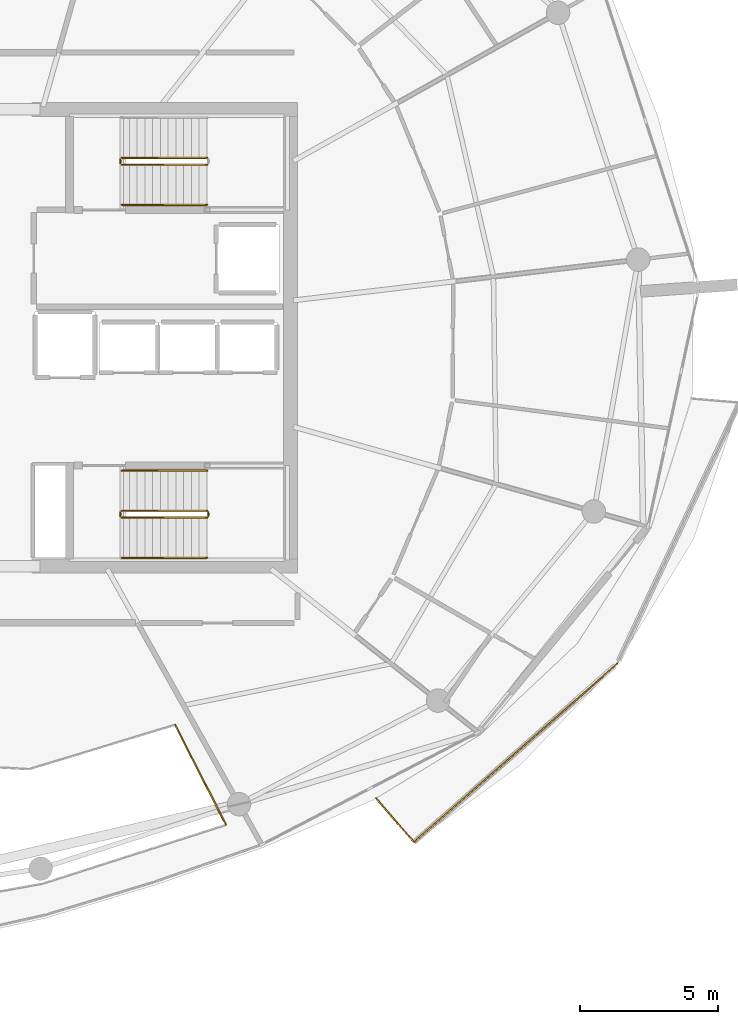
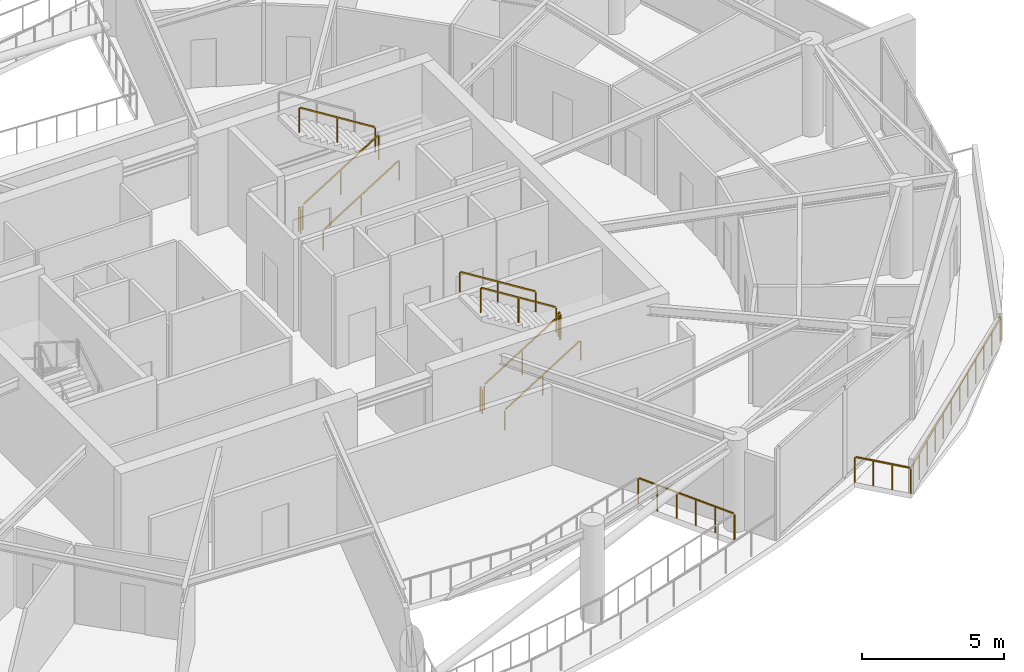
# One storey, part 20 of 22: 13 railings.
"""IFC4 building model written with IfcOpenShell, lengths in metres."""

import ifcopenshell
import ifcopenshell.guid

model = None  # the IFC model being written
_history = None  # IfcOwnerHistory: only IFC2X3 demands one
_inside = {}  # id of a spatial element -> (the spatial element, [elements in it])
_under = {}  # id of a project, library or spatial element -> (it, [spatial elements below it])
_declared = {}  # id of a project -> (the project, [libraries it declares])
_typed = {}  # id of a type object -> (the type object, [elements of that type])
_made_of = {}  # id of a material, layer set ... -> (it, [elements and type objects made of it])


def new_model(schema):
    """Start an empty IFC model of exactly this schema.

    Asked for "IFC4X3", IfcOpenShell would pick the latest addendum, in which some entities
    have other attributes; the version numbers below select the first issue.
    IFC2X3 requires an IfcOwnerHistory on every rooted entity: one is made here for all.
    """
    global model, _history
    if schema == "IFC4X3":
        model = ifcopenshell.file(schema_version=(4, 3, 0, 0))
    else:
        model = ifcopenshell.file(schema=schema)
    _inside.clear()
    _under.clear()
    _declared.clear()
    _typed.clear()
    _made_of.clear()
    _history = None
    if model.schema == "IFC2X3":
        org = make("IfcOrganization", Name="unknown")
        user = make(
            "IfcPersonAndOrganization",
            ThePerson=make("IfcPerson", FamilyName="unknown"),
            TheOrganization=org,
        )
        app = make(
            "IfcApplication",
            ApplicationDeveloper=org,
            Version="unknown",
            ApplicationFullName="unknown",
            ApplicationIdentifier="unknown",
        )
        _history = make(
            "IfcOwnerHistory",
            OwningUser=user,
            OwningApplication=app,
            ChangeAction="ADDED",
            CreationDate=0,
        )
    return model


def make(cls, **values):
    """One entity of the class cls with the attributes given. An attribute that is None is left unset."""
    return model.create_entity(
        cls, **{name: value for name, value in values.items() if value is not None}
    )


def rooted(cls, **values):
    """An entity with a GlobalId (a new one), such as an element, a storey or a relation."""
    return make(cls, GlobalId=ifcopenshell.guid.new(), OwnerHistory=_history, **values)


def si_unit(unit_type, name, prefix=None):
    """IfcSIUnit, for example si_unit("LENGTHUNIT", "METRE", prefix="MILLI")."""
    return make("IfcSIUnit", UnitType=unit_type, Prefix=prefix, Name=name)


def assignment(units):
    """IfcUnitAssignment: the units of a project."""
    return None if units is None else make("IfcUnitAssignment", Units=units)


def point(xyz):
    """IfcCartesianPoint."""
    return None if xyz is None else make("IfcCartesianPoint", Coordinates=xyz)


def direction(xyz):
    """IfcDirection."""
    return None if xyz is None else make("IfcDirection", DirectionRatios=xyz)


def frame(location, z_axis=None, x_axis=None):
    """IfcAxis2Placement3D, a coordinate frame: its origin and axes. An axis left out is left unset."""
    return make(
        "IfcAxis2Placement3D",
        Location=point(location),
        Axis=direction(z_axis),
        RefDirection=direction(x_axis),
    )


def frame_2d(location, x_axis=None):
    """IfcAxis2Placement2D, a coordinate frame in the plane: its origin and x axis."""
    return make(
        "IfcAxis2Placement2D", Location=point(location), RefDirection=direction(x_axis)
    )


def origin():
    """The frame at (0, 0, 0) with its axes left unset."""
    return frame((0.0, 0.0, 0.0))


def origin_2d():
    """The frame at (0, 0) in the plane with its x axis left unset."""
    return frame_2d((0.0, 0.0))


def place(relative_to, where):
    """IfcLocalPlacement: puts the frame where relative to a parent placement (None: the world)."""
    return make(
        "IfcLocalPlacement", PlacementRelTo=relative_to, RelativePlacement=where
    )


def context(
    kind, dimensions, precision=None, world=None, true_north=None, identifier=None
):
    """IfcGeometricRepresentationContext, for example the 3D "Model" context."""
    return make(
        "IfcGeometricRepresentationContext",
        ContextIdentifier=identifier,
        ContextType=kind,
        CoordinateSpaceDimension=dimensions,
        Precision=precision,
        WorldCoordinateSystem=world,
        TrueNorth=true_north,
    )


def subcontext(parent, identifier, kind, view, scale=None):
    """IfcGeometricRepresentationSubContext, for example "Body" below "Model"."""
    return make(
        "IfcGeometricRepresentationSubContext",
        ContextIdentifier=identifier,
        ContextType=kind,
        ParentContext=parent,
        TargetScale=scale,
        TargetView=view,
    )


def project(units=None, contexts=None):
    """IfcProject with its units and contexts."""
    return rooted(
        "IfcProject",
        Name="project",
        RepresentationContexts=contexts,
        UnitsInContext=assignment(units),
    )


def spatial(cls, under=None, at=None, **own):
    """A site, building, storey or space (cls), placed at a placement, below another one or the project."""
    s = rooted(cls, ObjectPlacement=at, **own)
    if under is not None:
        _under.setdefault(under.id(), (under, []))[1].append(s)
    return s


def profile(cls, at=None, kind="AREA", **sizes):
    """A parametric profile (cls). Its sizes go by their IFC names, for example OverallWidth=200.0."""
    return make(cls, ProfileType=kind, Position=at, **sizes)


def rectangle(**sizes):
    """IfcRectangleProfileDef."""
    return profile("IfcRectangleProfileDef", **sizes)


def extrude(swept, where, along, depth):
    """IfcExtrudedAreaSolid: the profile swept, set in the frame where, extruded along a direction by depth."""
    return make(
        "IfcExtrudedAreaSolid",
        SweptArea=swept,
        Position=where,
        ExtrudedDirection=direction(along),
        Depth=depth,
    )


def shape(context_of_items, identifier, shape_type, items):
    """IfcShapeRepresentation: the items that make up one representation, for example the "Body"."""
    return make(
        "IfcShapeRepresentation",
        ContextOfItems=context_of_items,
        RepresentationIdentifier=identifier,
        RepresentationType=shape_type,
        Items=items,
    )


def material(Name=None, Category=None):
    """IfcMaterial."""
    return make("IfcMaterial", Name=Name, Category=Category)


def made_of(thing, what):
    """Note that an element or type object is made of a material, layer set ...; save() writes the relation."""
    if what is not None:
        _made_of.setdefault(what.id(), (what, []))[1].append(thing)
    return thing


def type_object(cls, material=None, **own):
    """A type object (cls), such as IfcWallType, which elements share."""
    return made_of(rooted(cls, **own), material)


def element(
    cls,
    number,
    at=None,
    inside=None,
    cuts=None,
    type_object=None,
    material=None,
    context=None,
    identifier="Body",
    shape_type=None,
    held_by="IfcProductDefinitionShape",
    body=None,
    shapes=None,
    **own,
):
    """One element of the class cls, such as IfcWall. Its Tag is "e" and its number.

    at: its placement. inside: the storey or other place that contains it. cuts: it is an
    opening in that element (IfcRelVoidsElement). A single representation is given by context,
    identifier, shape_type and body (its items); several are given by shapes. held_by: the class
    of the entity that holds the representations. save() writes the other relations.
    """
    e = rooted(cls, Tag="e%d" % number, ObjectPlacement=at, **own)
    if body is not None:
        shapes = [shape(context, identifier, shape_type, body)]
    if shapes is not None:
        e.Representation = make(held_by, Representations=shapes)
    if inside is not None:
        _inside.setdefault(inside.id(), (inside, []))[1].append(e)
    if cuts is not None:
        rooted(
            "IfcRelVoidsElement", RelatingBuildingElement=cuts, RelatedOpeningElement=e
        )
    if type_object is not None:
        _typed.setdefault(type_object.id(), (type_object, []))[1].append(e)
    return made_of(e, material)


def aggregate(whole, parts):
    """IfcRelAggregates: a whole, such as a stair, and the parts it consists of."""
    return rooted("IfcRelAggregates", RelatingObject=whole, RelatedObjects=parts)


def save(model, path):
    """Write the relations noted so far, then the file.

    IfcRelAggregates (storeys below a building ...), IfcRelContainedInSpatialStructure (elements
    in a storey), IfcRelDefinesByType, IfcRelAssociatesMaterial and IfcRelDeclares: one each for
    every whole, place, type object, material and project.
    """
    for whole, parts in _under.values():
        aggregate(whole, parts)
    for where, things in _inside.values():
        rooted(
            "IfcRelContainedInSpatialStructure",
            RelatedElements=things,
            RelatingStructure=where,
        )
    for kind, things in _typed.values():
        rooted("IfcRelDefinesByType", RelatedObjects=things, RelatingType=kind)
    for what, things in _made_of.values():
        rooted("IfcRelAssociatesMaterial", RelatedObjects=things, RelatingMaterial=what)
    for by, libraries in _declared.values():
        rooted("IfcRelDeclares", RelatingContext=by, RelatedDefinitions=libraries)
    model.write(path)


model = new_model("IFC4")

# Units and contexts
model_context = context("Model", 3, precision=1e-05, world=origin(), true_north=direction((0.0, 1.0)))
body_context = subcontext(model_context, "Body", "Model", "MODEL_VIEW")
ifc_project = project(units=[si_unit("LENGTHUNIT", "METRE"), si_unit("AREAUNIT", "SQUARE_METRE"), si_unit("VOLUMEUNIT", "CUBIC_METRE"), si_unit("PLANEANGLEUNIT", "RADIAN"), si_unit("MASSUNIT", "GRAM", prefix="KILO")], contexts=[model_context])

# Site, building, storey
site_placement = place(None, origin())
site = spatial("IfcSite", under=ifc_project, at=site_placement, CompositionType="ELEMENT")
building_placement = place(site_placement, origin())
building = spatial("IfcBuilding", under=site, at=building_placement, Name="Kazma Halo Residences", CompositionType="ELEMENT")
storey_placement = place(building_placement, frame((0.0, 0.0, 326.300048828125)))
storey = spatial("IfcBuildingStorey", under=building, at=storey_placement, Name="L82", CompositionType="ELEMENT", Elevation=326.300048828125)

# Railings
ifc_material_1 = material(Name="Aluminium AW-6063 T6 Brushed Cap Rail", Category="aluminium")
railing_type_1 = type_object("IfcRailingType", Name="RLG-BAL-CAP-1120", PredefinedType="BALUSTRADE", material=ifc_material_1)
railing_1_placement = place(storey_placement, frame((62.38818359375, 25.360595703125, 0.0)))
element("IfcRailing", 1, at=railing_1_placement, inside=storey, type_object=railing_type_1, Name="L82 SE wave balcony guard 1", PredefinedType="BALUSTRADE", context=body_context, shape_type="SweptSolid", body=[
    extrude(rectangle(XDim=0.050048828125, YDim=0.050048828125, at=origin_2d()), frame((0.02783203125, -0.0322265625, 1.09521484375), z_axis=(0.654070995682, -0.756433164667, 0.0), x_axis=(0.756433164667, 0.654070995682, 0.0)), (0.0, 0.0, 1.0), 2.013671875),
    extrude(rectangle(XDim=0.0400390625, YDim=0.0400390625, at=origin_2d()), origin(), (0.0, 0.0, 1.0), 1.05810546875),
    extrude(rectangle(XDim=0.0400390625, YDim=0.0400390625, at=origin_2d()), frame((0.45751953125, -0.529296875, 0.0)), (0.0, 0.0, 1.0), 1.05810546875),
    extrude(rectangle(XDim=0.0400390625, YDim=0.0400390625, at=origin_2d()), frame((0.915283203125, -1.058349609375, 0.0)), (0.0, 0.0, 1.0), 1.05810546875),
    extrude(rectangle(XDim=0.0400390625, YDim=0.0400390625, at=origin_2d()), frame((1.372802734375, -1.587646484375, 0.0)), (0.0, 0.0, 1.0), 1.05810546875),
])
railing_2_placement = place(storey_placement, frame((63.760986328125, 23.77294921875, 0.0)))
element("IfcRailing", 2, at=railing_2_placement, inside=storey, type_object=railing_type_1, Name="L82 SE wave balcony guard 2", PredefinedType="BALUSTRADE", context=body_context, shape_type="SweptSolid", body=[
    extrude(rectangle(XDim=0.050048828125, YDim=0.050048828125, at=origin_2d()), frame((0.031982421875, 0.028076171875, 1.09521484375), z_axis=(0.751217046365, 0.66005526227, 0.0), x_axis=(-0.66005526227, 0.751217046365, 0.0)), (0.0, 0.0, 1.0), 9.692626953125),
    extrude(rectangle(XDim=0.0400390625, YDim=0.0400390625, at=origin_2d()), origin(), (0.0, 0.0, 1.0), 1.05810546875),
    extrude(rectangle(XDim=0.0400390625, YDim=0.0400390625, at=origin_2d()), frame((0.667724609375, 0.586669921875, 0.0)), (0.0, 0.0, 1.0), 1.05810546875),
    extrude(rectangle(XDim=0.0400390625, YDim=0.0400390625, at=origin_2d()), frame((1.33544921875, 1.17333984375, 0.0)), (0.0, 0.0, 1.0), 1.05810546875),
    extrude(rectangle(XDim=0.0400390625, YDim=0.0400390625, at=origin_2d()), frame((2.003173828125, 1.76025390625, 0.0)), (0.0, 0.0, 1.0), 1.05810546875),
    extrude(rectangle(XDim=0.0400390625, YDim=0.0400390625, at=origin_2d()), frame((2.6708984375, 2.346923828125, 0.0)), (0.0, 0.0, 1.0), 1.05810546875),
    extrude(rectangle(XDim=0.0400390625, YDim=0.0400390625, at=origin_2d()), frame((3.338623046875, 2.93359375, 0.0)), (0.0, 0.0, 1.0), 1.05810546875),
    extrude(rectangle(XDim=0.0400390625, YDim=0.0400390625, at=origin_2d()), frame((4.006591796875, 3.520263671875, 0.0)), (0.0, 0.0, 1.0), 1.05810546875),
    extrude(rectangle(XDim=0.0400390625, YDim=0.0400390625, at=origin_2d()), frame((4.67431640625, 4.10693359375, 0.0)), (0.0, 0.0, 1.0), 1.05810546875),
    extrude(rectangle(XDim=0.0400390625, YDim=0.0400390625, at=origin_2d()), frame((5.342041015625, 4.693603515625, 0.0)), (0.0, 0.0, 1.0), 1.05810546875),
    extrude(rectangle(XDim=0.0400390625, YDim=0.0400390625, at=origin_2d()), frame((6.009765625, 5.280517578125, 0.0)), (0.0, 0.0, 1.0), 1.05810546875),
    extrude(rectangle(XDim=0.0400390625, YDim=0.0400390625, at=origin_2d()), frame((6.677490234375, 5.8671875, 0.0)), (0.0, 0.0, 1.0), 1.05810546875),
    extrude(rectangle(XDim=0.0400390625, YDim=0.0400390625, at=origin_2d()), frame((7.34521484375, 6.453857421875, 0.0)), (0.0, 0.0, 1.0), 1.05810546875),
])
ifc_material_2 = material(Name="Brushed Stainless Steel and Laminated Glass", Category="steel")
railing_type_2 = type_object("IfcRailingType", Name="RLG-EXT-GUARD-1150", PredefinedType="GUARDRAIL", material=ifc_material_2)
railing_3_placement = place(storey_placement, frame((55.127685546875, 28.01123046875, 0.0)))
element("IfcRailing", 3, at=railing_3_placement, inside=storey, type_object=railing_type_2, Name="L82 upper wind-portal edge guard 2.3", PredefinedType="GUARDRAIL", context=body_context, shape_type="SweptSolid", body=[
    extrude(rectangle(XDim=0.050048828125, YDim=0.050048828125, at=origin_2d()), frame((0.019287109375, -0.037841796875, 1.125), z_axis=(0.453986372723, -0.891008626996, 0.0), x_axis=(0.891008626996, 0.453986372723, 0.0)), (0.0, 0.0, 1.0), 3.958984375),
    extrude(rectangle(XDim=0.0400390625, YDim=0.0400390625, at=origin_2d()), origin(), (0.0, 0.0, 1.0), 1.087890625),
    extrude(rectangle(XDim=0.0400390625, YDim=0.0400390625, at=origin_2d()), frame((0.3671875, -0.720703125, 0.0)), (0.0, 0.0, 1.0), 1.087890625),
    extrude(rectangle(XDim=0.0400390625, YDim=0.0400390625, at=origin_2d()), frame((0.734375, -1.44140625, 0.0)), (0.0, 0.0, 1.0), 1.087890625),
    extrude(rectangle(XDim=0.0400390625, YDim=0.0400390625, at=origin_2d()), frame((1.1015625, -2.161865234375, 0.0)), (0.0, 0.0, 1.0), 1.087890625),
    extrude(rectangle(XDim=0.0400390625, YDim=0.0400390625, at=origin_2d()), frame((1.46875, -2.882568359375, 0.0)), (0.0, 0.0, 1.0), 1.087890625),
    extrude(rectangle(XDim=0.0400390625, YDim=0.0400390625, at=origin_2d()), frame((1.8359375, -3.603271484375, 0.0)), (0.0, 0.0, 1.0), 1.087890625),
])
ifc_material_3 = material(Name="Painted Steel S355", Category="steel")
railing_type_3 = type_object("IfcRailingType", Name="RLG-STAIR-GRD-1100", PredefinedType="GUARDRAIL", material=ifc_material_3)
railing_4_placement = place(storey_placement, frame((53.199951171875, 48.25, 0.175048828125)))
element("IfcRailing", 4, at=railing_4_placement, inside=storey, type_object=railing_type_3, Name="L82 ST-02 stair guard 1", PredefinedType="GUARDRAIL", context=body_context, shape_type="SweptSolid", body=[
    extrude(rectangle(XDim=0.050048828125, YDim=0.050048828125, at=origin_2d()), frame((0.0361328125, 0.0, 1.09765625), z_axis=(0.848028513186, 0.0, 0.529950602248), x_axis=(0.0, 1.0, 0.0)), (0.0, 0.0, 1.0), 3.546875),
    extrude(rectangle(XDim=0.0400390625, YDim=0.0400390625, at=origin_2d()), origin(), (0.0, 0.0, 1.0), 1.0380859375),
    extrude(rectangle(XDim=0.0400390625, YDim=0.0400390625, at=origin_2d()), frame((1.5400390625, 0.0, 0.96240234375)), (0.0, 0.0, 1.0), 1.0380859375),
    extrude(rectangle(XDim=0.0400390625, YDim=0.0400390625, at=origin_2d()), frame((3.080078125, 0.0, 1.9248046875)), (0.0, 0.0, 1.0), 1.0380859375),
])
railing_5_placement = place(storey_placement, frame((56.280029296875, 48.5, 2.27490234375)))
element("IfcRailing", 5, at=railing_5_placement, inside=storey, type_object=railing_type_3, Name="L82 ST-02 stair guard 3", PredefinedType="GUARDRAIL", context=body_context, shape_type="SweptSolid", body=[
    extrude(rectangle(XDim=0.050048828125, YDim=0.050048828125, at=origin_2d()), frame((-0.0361328125, 0.0, 1.09765625), z_axis=(-0.847998304005, 0.0, 0.529998940003), x_axis=(0.0, -1.0, 0.0)), (0.0, 0.0, 1.0), 3.547119140625),
    extrude(rectangle(XDim=0.0400390625, YDim=0.0400390625, at=origin_2d()), origin(), (0.0, 0.0, 1.0), 1.0380859375),
    extrude(rectangle(XDim=0.0400390625, YDim=0.0400390625, at=origin_2d()), frame((-1.5400390625, 0.0, 0.96240234375)), (0.0, 0.0, 1.0), 1.0380859375),
    extrude(rectangle(XDim=0.0400390625, YDim=0.0400390625, at=origin_2d()), frame((-3.080078125, 0.0, 1.925048828125)), (0.0, 0.0, 1.0), 1.0380859375),
])
railing_6_placement = place(storey_placement, frame((53.14990234375, 48.300048828125, 0.0)))
element("IfcRailing", 6, at=railing_6_placement, inside=storey, type_object=railing_type_3, Name="L82 ST-02 stair guard 4", PredefinedType="GUARDRAIL", context=body_context, shape_type="SweptSolid", body=[
    extrude(rectangle(XDim=0.050048828125, YDim=0.050048828125, at=origin_2d()), frame((0.0, 0.04248046875, 1.0751953125), z_axis=(0.0, 1.0, 0.0), x_axis=(-1.0, 0.0, 0.0)), (0.0, 0.0, 1.0), 0.06494140625),
    extrude(rectangle(XDim=0.0400390625, YDim=0.0400390625, at=origin_2d()), origin(), (0.0, 0.0, 1.0), 1.0380859375),
    extrude(rectangle(XDim=0.0400390625, YDim=0.0400390625, at=origin_2d()), frame((0.0, 0.14990234375, 0.0)), (0.0, 0.0, 1.0), 1.0380859375),
])
railing_7_placement = place(storey_placement, frame((53.199951171875, 35.5, 0.175048828125)))
element("IfcRailing", 7, at=railing_7_placement, inside=storey, type_object=railing_type_3, Name="L82 ST-03 stair guard 1", PredefinedType="GUARDRAIL", context=body_context, shape_type="SweptSolid", body=[
    extrude(rectangle(XDim=0.050048828125, YDim=0.050048828125, at=origin_2d()), frame((0.0361328125, 0.0, 1.09765625), z_axis=(0.848028513186, 0.0, 0.529950602248), x_axis=(0.0, 1.0, 0.0)), (0.0, 0.0, 1.0), 3.546875),
    extrude(rectangle(XDim=0.0400390625, YDim=0.0400390625, at=origin_2d()), origin(), (0.0, 0.0, 1.0), 1.0380859375),
    extrude(rectangle(XDim=0.0400390625, YDim=0.0400390625, at=origin_2d()), frame((1.5400390625, 0.0, 0.96240234375)), (0.0, 0.0, 1.0), 1.0380859375),
    extrude(rectangle(XDim=0.0400390625, YDim=0.0400390625, at=origin_2d()), frame((3.080078125, 0.0, 1.9248046875)), (0.0, 0.0, 1.0), 1.0380859375),
])
railing_8_placement = place(storey_placement, frame((56.330078125, 35.550048828125, 2.099853515625)))
element("IfcRailing", 8, at=railing_8_placement, inside=storey, type_object=railing_type_3, Name="L82 ST-03 stair guard 2", PredefinedType="GUARDRAIL", context=body_context, shape_type="SweptSolid", body=[
    extrude(rectangle(XDim=0.050048828125, YDim=0.050048828125, at=origin_2d()), frame((0.0, 0.04248046875, 1.0751953125), z_axis=(0.0, 1.0, 0.0), x_axis=(-1.0, 0.0, 0.0)), (0.0, 0.0, 1.0), 0.06494140625),
    extrude(rectangle(XDim=0.0400390625, YDim=0.0400390625, at=origin_2d()), origin(), (0.0, 0.0, 1.0), 1.0380859375),
    extrude(rectangle(XDim=0.0400390625, YDim=0.0400390625, at=origin_2d()), frame((0.0, 0.14990234375, 0.0)), (0.0, 0.0, 1.0), 1.0380859375),
])
railing_9_placement = place(storey_placement, frame((56.280029296875, 35.75, 2.27490234375)))
element("IfcRailing", 9, at=railing_9_placement, inside=storey, type_object=railing_type_3, Name="L82 ST-03 stair guard 3", PredefinedType="GUARDRAIL", context=body_context, shape_type="SweptSolid", body=[
    extrude(rectangle(XDim=0.050048828125, YDim=0.050048828125, at=origin_2d()), frame((-0.0361328125, 0.0, 1.09765625), z_axis=(-0.847998304005, 0.0, 0.529998940003), x_axis=(0.0, -1.0, 0.0)), (0.0, 0.0, 1.0), 3.547119140625),
    extrude(rectangle(XDim=0.0400390625, YDim=0.0400390625, at=origin_2d()), origin(), (0.0, 0.0, 1.0), 1.0380859375),
    extrude(rectangle(XDim=0.0400390625, YDim=0.0400390625, at=origin_2d()), frame((-1.5400390625, 0.0, 0.96240234375)), (0.0, 0.0, 1.0), 1.0380859375),
    extrude(rectangle(XDim=0.0400390625, YDim=0.0400390625, at=origin_2d()), frame((-3.080078125, 0.0, 1.925048828125)), (0.0, 0.0, 1.0), 1.0380859375),
])
railing_10_placement = place(storey_placement, frame((53.14990234375, 35.550048828125, 0.0)))
element("IfcRailing", 10, at=railing_10_placement, inside=storey, type_object=railing_type_3, Name="L82 ST-03 stair guard 4", PredefinedType="GUARDRAIL", context=body_context, shape_type="SweptSolid", body=[
    extrude(rectangle(XDim=0.050048828125, YDim=0.050048828125, at=origin_2d()), frame((0.0, 0.04248046875, 1.0751953125), z_axis=(0.0, 1.0, 0.0), x_axis=(-1.0, 0.0, 0.0)), (0.0, 0.0, 1.0), 0.06494140625),
    extrude(rectangle(XDim=0.0400390625, YDim=0.0400390625, at=origin_2d()), origin(), (0.0, 0.0, 1.0), 1.0380859375),
    extrude(rectangle(XDim=0.0400390625, YDim=0.0400390625, at=origin_2d()), frame((0.0, 0.14990234375, 0.0)), (0.0, 0.0, 1.0), 1.0380859375),
])
ifc_material_4 = material(Name="Brushed Stainless Steel", Category="steel")
railing_type_4 = type_object("IfcRailingType", Name="RLG-STAIR-HND-900", PredefinedType="HANDRAIL", material=ifc_material_4)
for number, where, name in (
    (11, (53.199951171875, 46.800048828125, 0.175048828125), "L82 ST-02 stair handrail 1"),
    (12, (53.199951171875, 34.050048828125, 0.175048828125), "L82 ST-03 stair handrail 1"),
):
    element("IfcRailing", number, at=place(storey_placement, frame(where)), inside=storey, type_object=railing_type_4, Name=name, PredefinedType="HANDRAIL", context=body_context, shape_type="SweptSolid", body=[
        extrude(rectangle(XDim=0.050048828125, YDim=0.050048828125, at=origin_2d()), frame((0.0361328125, 0.0, 0.8974609375), z_axis=(0.848028513186, 0.0, 0.529950602248), x_axis=(0.0, 1.0, 0.0)), (0.0, 0.0, 1.0), 3.546875),
        extrude(rectangle(XDim=0.0400390625, YDim=0.0400390625, at=origin_2d()), origin(), (0.0, 0.0, 1.0), 0.837890625),
        extrude(rectangle(XDim=0.0400390625, YDim=0.0400390625, at=origin_2d()), frame((1.5400390625, 0.0, 0.96240234375)), (0.0, 0.0, 1.0), 0.837890625),
        extrude(rectangle(XDim=0.0400390625, YDim=0.0400390625, at=origin_2d()), frame((3.080078125, 0.0, 1.9248046875)), (0.0, 0.0, 1.0), 0.837890625),
    ])
railing_11_placement = place(storey_placement, frame((56.280029296875, 37.199951171875, 2.27490234375)))
element("IfcRailing", 13, at=railing_11_placement, inside=storey, type_object=railing_type_4, Name="L82 ST-03 stair handrail 2", PredefinedType="HANDRAIL", context=body_context, shape_type="SweptSolid", body=[
    extrude(rectangle(XDim=0.050048828125, YDim=0.050048828125, at=origin_2d()), frame((-0.0361328125, 0.0, 0.8974609375), z_axis=(-0.847998304005, 0.0, 0.529998940003), x_axis=(0.0, -1.0, 0.0)), (0.0, 0.0, 1.0), 3.547119140625),
    extrude(rectangle(XDim=0.0400390625, YDim=0.0400390625, at=origin_2d()), origin(), (0.0, 0.0, 1.0), 0.837890625),
    extrude(rectangle(XDim=0.0400390625, YDim=0.0400390625, at=origin_2d()), frame((-1.5400390625, 0.0, 0.96240234375)), (0.0, 0.0, 1.0), 0.837890625),
    extrude(rectangle(XDim=0.0400390625, YDim=0.0400390625, at=origin_2d()), frame((-3.080078125, 0.0, 1.925048828125)), (0.0, 0.0, 1.0), 0.837890625),
])

save(model, "model.ifc")
